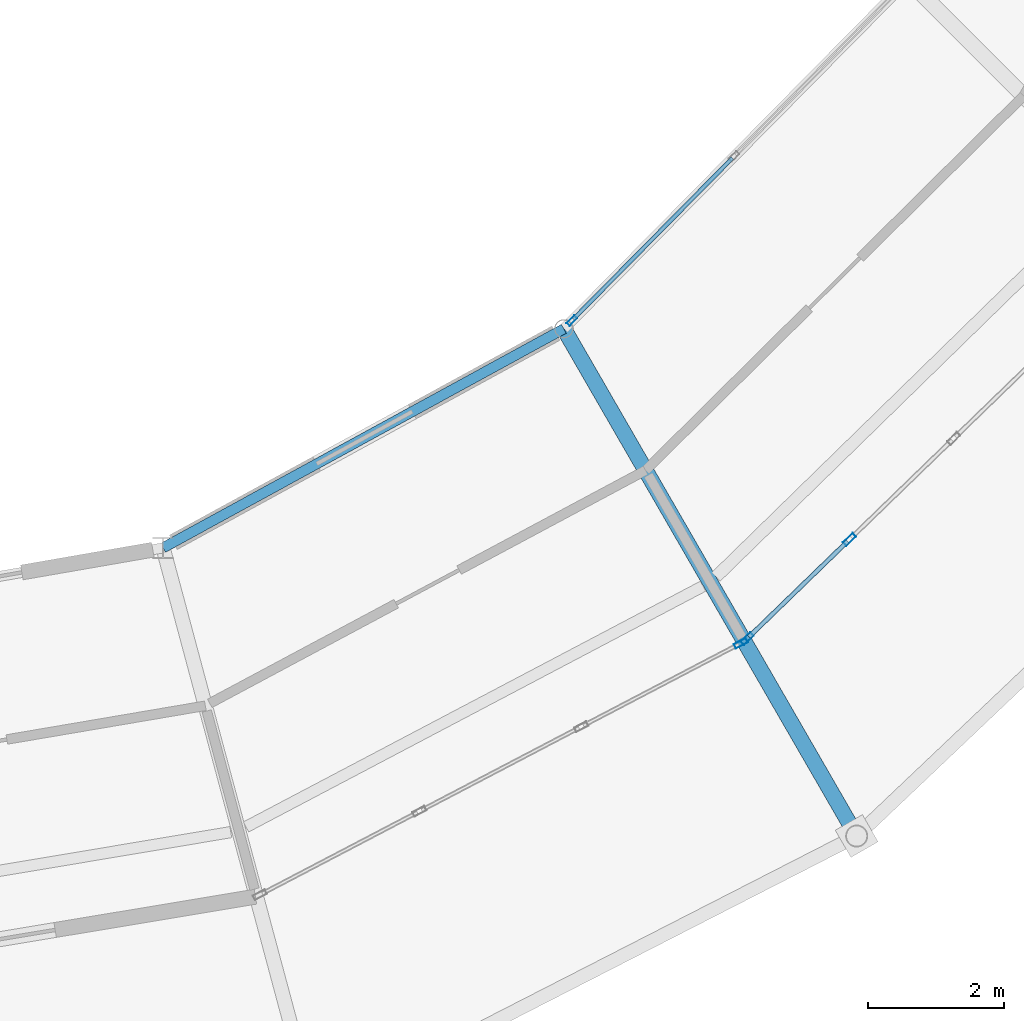
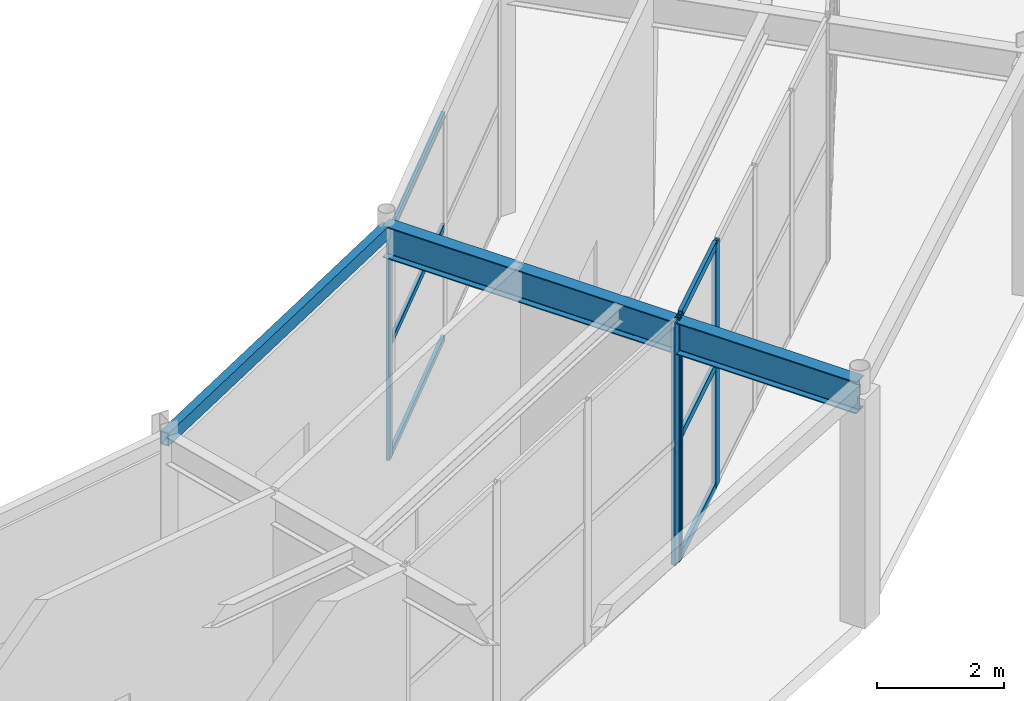
# One storey, part 52 of 144: 10 members, 2 beams, 3 elements without a shape of their own.
"""IFC4 building model written with IfcOpenShell, lengths in metres."""

from ifc_helpers import new_model, si_unit, direction, frame, origin, origin_2d, place, context, subcontext, project, spatial, hollow_rectangle, i_section, extrude, material, material_profile, profile_set, type_object, element, aggregate, save


model = new_model("IFC4")

# Units and contexts
model_context = context("Model", 3, precision=1e-05, world=origin(), true_north=direction((0.0, 1.0)))
body_context = subcontext(model_context, "Body", "Model", "MODEL_VIEW")
ifc_project = project(units=[si_unit("LENGTHUNIT", "METRE"), si_unit("AREAUNIT", "SQUARE_METRE"), si_unit("VOLUMEUNIT", "CUBIC_METRE"), si_unit("PLANEANGLEUNIT", "RADIAN"), si_unit("MASSUNIT", "GRAM", prefix="KILO")], contexts=[model_context])

# Site, building, storey
site_placement = place(None, origin())
site = spatial("IfcSite", under=ifc_project, at=site_placement, CompositionType="ELEMENT")
building_placement = place(site_placement, origin())
building = spatial("IfcBuilding", under=site, at=building_placement, Name="Karori Crest Natural Sciences Institute", CompositionType="ELEMENT")
storey_placement = place(building_placement, origin())
storey = spatial("IfcBuildingStorey", under=building, at=storey_placement, Name="L00", CompositionType="ELEMENT", Elevation=0.0)

# Beams
ifc_material_1 = material(Name="Structural steel AS/NZS 3679.1 Grade 350", Category="steel")
ifc_material_profile_1 = material_profile(ifc_material_1, i_section(OverallWidth=0.22900390625, OverallDepth=0.612060546875, WebThickness=0.011962890625, FlangeThickness=0.01953125, FilletRadius=0.013916015625, at=origin_2d()), Name="610UB125")
ifc_profile_set_1 = profile_set([ifc_material_profile_1], Name="Structural steel AS/NZS 3679.1 Grade 350")
beam_type_1 = type_object("IfcBeamType", Name="BT-04", PredefinedType="BEAM", material=ifc_profile_set_1)
beam_1_placement = place(storey_placement, frame((78.60009765625, 22.013916015625, 4.333984375), z_axis=(0.499986217557, -0.866033360935, 0.0), x_axis=(0.866033360935, 0.499986217557, 0.0)))
element("IfcBeam", 1, at=beam_1_placement, inside=storey, type_object=beam_type_1, Name="Beam B-0168", PredefinedType="BEAM", context=body_context, shape_type="SweptSolid", body=[
    extrude(i_section(OverallWidth=0.22900390625, OverallDepth=0.612060546875, WebThickness=0.011962890625, FlangeThickness=0.01953125, FilletRadius=0.013916015625, at=origin_2d()), origin(), (0.0, 0.0, 1.0), 8.599853515625),
])
ifc_material_2 = material(Name="Hollow structural steel AS/NZS 1163 Grade C350", Category="steel")
ifc_material_profile_2 = material_profile(ifc_material_2, hollow_rectangle(XDim=0.14990234375, YDim=0.25, WallThickness=0.009033203125, at=origin_2d()), Name="RHS250x150x9")
ifc_profile_set_2 = profile_set([ifc_material_profile_2], Name="Hollow structural steel AS/NZS 1163 Grade C350")
beam_type_2 = type_object("IfcBeamType", Name="BT-16", PredefinedType="SPANDREL", material=ifc_profile_set_2)
beam_2_placement = place(storey_placement, frame((72.715087890625, 18.797119140625, 4.489990234375), z_axis=(0.877469531616, 0.47963238119, 0.0), x_axis=(-0.47963238119, 0.877469531616, 0.0)))
element("IfcBeam", 2, at=beam_2_placement, inside=storey, type_object=beam_type_2, Name="Beam B-0163", PredefinedType="SPANDREL", context=body_context, shape_type="SweptSolid", body=[
    extrude(hollow_rectangle(XDim=0.14990234375, YDim=0.25, WallThickness=0.009033203125, at=origin_2d()), origin(), (0.0, 0.0, 1.0), 6.706787109375),
])

# Curtain wall, member
ifc_material_3 = material(Name="Anodised architectural aluminium 6063-T6", Category="aluminium")
curtain_wall_type_1 = type_object("IfcCurtainWallType", Name="CWT-11", PredefinedType="NOTDEFINED", material=ifc_material_3)
curtain_wall_1_placement = place(storey_placement, origin())
curtain_wall_1 = element("IfcCurtainWall", 3, at=curtain_wall_1_placement, inside=storey, type_object=curtain_wall_type_1, Name="Curtain wall CW-0026", PredefinedType="NOTDEFINED")
ifc_material_profile_3 = material_profile(ifc_material_3, hollow_rectangle(XDim=0.06494140625, YDim=0.159912109375, WallThickness=0.00390625, at=origin_2d()), Name="CWM160x65x4")
ifc_profile_set_3 = profile_set([ifc_material_profile_3], Name="Anodised architectural aluminium 6063-T6")
member_type_1 = type_object("IfcMemberType", Name="CWM-01", PredefinedType="MULLION", material=ifc_profile_set_3)
member_1_placement = place(storey_placement, frame((78.71728515625, 22.1328125, 0.0), z_axis=(0.0, 0.0, 1.0), x_axis=(-0.71152941525, 0.70265631089, 0.0)))
member_1 = element("IfcMember", 4, at=member_1_placement, type_object=member_type_1, Name="CW-0026 mullion 1", PredefinedType="MULLION", context=body_context, shape_type="SweptSolid", body=[
    extrude(hollow_rectangle(XDim=0.06494140625, YDim=0.159912109375, WallThickness=0.00390625, at=origin_2d()), origin(), (0.0, 0.0, 1.0), 4.35009765625),
])

curtain_wall_type_2 = type_object("IfcCurtainWallType", Name="CWT-10", PredefinedType="NOTDEFINED", material=ifc_material_3)
curtain_wall_2_placement = place(storey_placement, origin())
curtain_wall_2 = element("IfcCurtainWall", 5, at=curtain_wall_2_placement, inside=storey, type_object=curtain_wall_type_2, Name="Curtain wall CW-0024", PredefinedType="NOTDEFINED")
ifc_material_profile_4 = material_profile(ifc_material_3, hollow_rectangle(XDim=0.074951171875, YDim=0.199951171875, WallThickness=0.0048828125, at=origin_2d()), Name="CWM200x75x5")
ifc_profile_set_4 = profile_set([ifc_material_profile_4], Name="Anodised architectural aluminium 6063-T6")
member_type_2 = type_object("IfcMemberType", Name="CWM-02", PredefinedType="MULLION", material=ifc_profile_set_4)
member_2_placement = place(storey_placement, frame((81.198974609375, 17.397216796875, 0.0), z_axis=(0.0, 0.0, 1.0), x_axis=(0.46342574094, -0.88613575858, 0.0)))
member_2 = element("IfcMember", 6, at=member_2_placement, type_object=member_type_2, Name="CW-0024 mullion 1", PredefinedType="MULLION", context=body_context, shape_type="SweptSolid", body=[
    extrude(hollow_rectangle(XDim=0.074951171875, YDim=0.199951171875, WallThickness=0.0048828125, at=origin_2d()), origin(), (0.0, 0.0, 1.0), 4.679931640625),
])
aggregate(curtain_wall_2, [member_2])

# Curtain wall, members
curtain_wall_type_3 = type_object("IfcCurtainWallType", Name="CWT-01", PredefinedType="NOTDEFINED", material=ifc_material_3)
curtain_wall_3_placement = place(storey_placement, origin())
curtain_wall_3 = element("IfcCurtainWall", 7, at=curtain_wall_3_placement, inside=storey, type_object=curtain_wall_type_3, Name="Curtain wall CW-0025", PredefinedType="NOTDEFINED")
member_3_placement = place(storey_placement, frame((82.794921875, 18.9208984375, 0.0), z_axis=(0.0, 0.0, 1.0), x_axis=(0.695838899401, -0.718197901752, 0.0)))
member_3 = element("IfcMember", 8, at=member_3_placement, type_object=member_type_2, Name="CW-0025 mullion 4", PredefinedType="MULLION", context=body_context, shape_type="SweptSolid", body=[
    extrude(hollow_rectangle(XDim=0.074951171875, YDim=0.199951171875, WallThickness=0.0048828125, at=origin_2d()), origin(), (0.0, 0.0, 1.0), 4.679931640625),
])
member_4_placement = place(storey_placement, frame((81.291259765625, 17.464111328125, 0.0), z_axis=(0.0, 0.0, 1.0), x_axis=(0.695838899401, -0.718197901752, 0.0)))
member_4 = element("IfcMember", 9, at=member_4_placement, type_object=member_type_2, Name="CW-0025 mullion 5", PredefinedType="MULLION", context=body_context, shape_type="SweptSolid", body=[
    extrude(hollow_rectangle(XDim=0.074951171875, YDim=0.199951171875, WallThickness=0.0048828125, at=origin_2d()), origin(), (0.0, 0.0, 1.0), 4.679931640625),
])

# Member
ifc_material_profile_5 = material_profile(ifc_material_3, hollow_rectangle(XDim=0.06005859375, YDim=0.1201171875, WallThickness=0.00390625, at=origin_2d()), Name="CWT120x60x4")
ifc_profile_set_5 = profile_set([ifc_material_profile_5], Name="Anodised architectural aluminium 6063-T6")
member_type_3 = type_object("IfcMemberType", Name="CWT-TR1", PredefinedType="USERDEFINED", material=ifc_profile_set_5)
member_5_placement = place(storey_placement, frame((78.740234375, 22.156005859375, 0.030029296875), z_axis=(0.702647532142, 0.711538084416, 0.0), x_axis=(-0.711538084416, 0.702647532142, 0.0)))
member_5 = element("IfcMember", 10, at=member_5_placement, type_object=member_type_3, Name="CW-0026 transom 1.1", ObjectType="TRANSOM", PredefinedType="USERDEFINED", context=body_context, shape_type="SweptSolid", body=[
    extrude(hollow_rectangle(XDim=0.06005859375, YDim=0.1201171875, WallThickness=0.00390625, at=origin_2d()), origin(), (0.0, 0.0, 1.0), 3.32275390625),
])

member_6_placement = place(storey_placement, frame((78.740234375, 22.156005859375, 2.175048828125), z_axis=(0.702647532142, 0.711538084416, 0.0), x_axis=(-0.711538084416, 0.702647532142, 0.0)))
member_6 = element("IfcMember", 11, at=member_6_placement, type_object=member_type_3, Name="CW-0026 transom 1.2", ObjectType="TRANSOM", PredefinedType="USERDEFINED", context=body_context, shape_type="SweptSolid", body=[
    extrude(hollow_rectangle(XDim=0.06005859375, YDim=0.1201171875, WallThickness=0.00390625, at=origin_2d()), origin(), (0.0, 0.0, 1.0), 3.32275390625),
])

member_7_placement = place(storey_placement, frame((78.740234375, 22.156005859375, 4.320068359375), z_axis=(0.702647532142, 0.711538084416, 0.0), x_axis=(-0.711538084416, 0.702647532142, 0.0)))
member_7 = element("IfcMember", 12, at=member_7_placement, type_object=member_type_3, Name="CW-0026 transom 1.3", ObjectType="TRANSOM", PredefinedType="USERDEFINED", context=body_context, shape_type="SweptSolid", body=[
    extrude(hollow_rectangle(XDim=0.06005859375, YDim=0.1201171875, WallThickness=0.00390625, at=origin_2d()), origin(), (0.0, 0.0, 1.0), 3.32275390625),
])

aggregate(curtain_wall_1, [member_1, member_5, member_6, member_7])

ifc_material_profile_6 = material_profile(ifc_material_3, hollow_rectangle(XDim=0.06494140625, YDim=0.14990234375, WallThickness=0.00390625, at=origin_2d()), Name="CWT150x65x4")
ifc_profile_set_6 = profile_set([ifc_material_profile_6], Name="Anodised architectural aluminium 6063-T6")
member_type_4 = type_object("IfcMemberType", Name="CWT-TR2", PredefinedType="USERDEFINED", material=ifc_profile_set_6)
member_8_placement = place(storey_placement, frame((82.76806640625, 18.894775390625, 0.032470703125), z_axis=(-0.718145778864, -0.695892693093, 0.0), x_axis=(0.695892693093, -0.718145778864, 0.0)))
member_8 = element("IfcMember", 13, at=member_8_placement, type_object=member_type_4, Name="CW-0025 transom 4.1", ObjectType="TRANSOM", PredefinedType="USERDEFINED", context=body_context, shape_type="SweptSolid", body=[
    extrude(hollow_rectangle(XDim=0.06494140625, YDim=0.14990234375, WallThickness=0.00390625, at=origin_2d()), origin(), (0.0, 0.0, 1.0), 2.018798828125),
])

member_9_placement = place(storey_placement, frame((82.76806640625, 18.894775390625, 2.340087890625), z_axis=(-0.718145778864, -0.695892693093, 0.0), x_axis=(0.695892693093, -0.718145778864, 0.0)))
member_9 = element("IfcMember", 14, at=member_9_placement, type_object=member_type_4, Name="CW-0025 transom 4.2", ObjectType="TRANSOM", PredefinedType="USERDEFINED", context=body_context, shape_type="SweptSolid", body=[
    extrude(hollow_rectangle(XDim=0.06494140625, YDim=0.14990234375, WallThickness=0.00390625, at=origin_2d()), origin(), (0.0, 0.0, 1.0), 2.018798828125),
])

member_10_placement = place(storey_placement, frame((82.76806640625, 18.894775390625, 4.6474609375), z_axis=(-0.718145778864, -0.695892693093, 0.0), x_axis=(0.695892693093, -0.718145778864, 0.0)))
member_10 = element("IfcMember", 15, at=member_10_placement, type_object=member_type_4, Name="CW-0025 transom 4.3", ObjectType="TRANSOM", PredefinedType="USERDEFINED", context=body_context, shape_type="SweptSolid", body=[
    extrude(hollow_rectangle(XDim=0.06494140625, YDim=0.14990234375, WallThickness=0.00390625, at=origin_2d()), origin(), (0.0, 0.0, 1.0), 2.018798828125),
])

aggregate(curtain_wall_3, [member_3, member_4, member_8, member_9, member_10])

save(model, "model.ifc")
